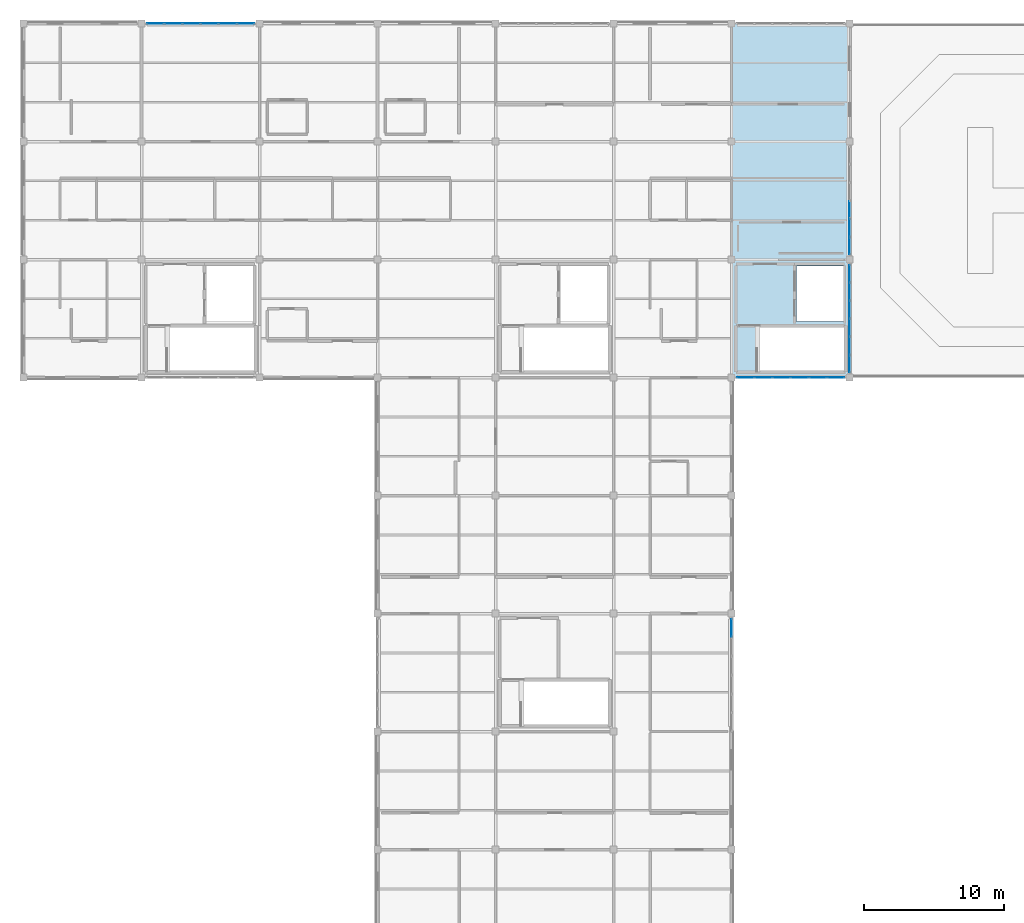
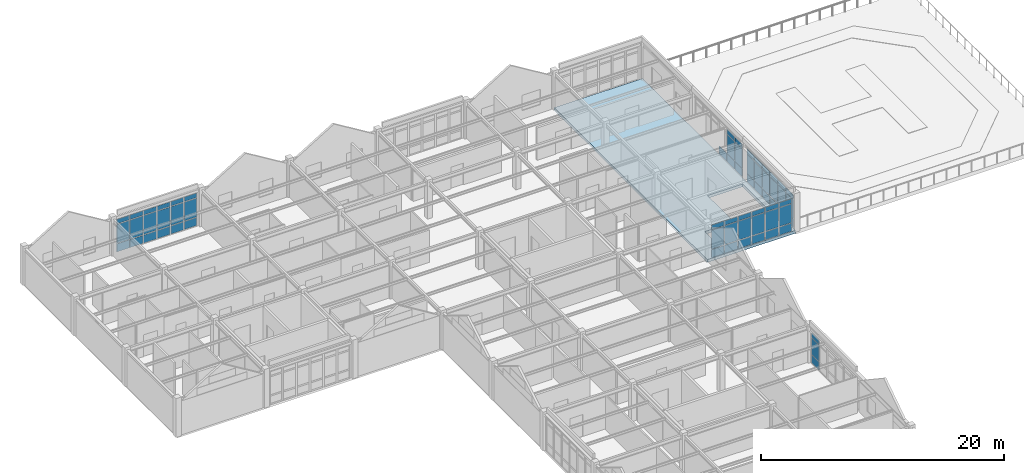
# One storey, part 30 of 45: 64 plates, 1 slab, 5 elements without a shape of their own.
"""IFC4 building model written with IfcOpenShell, lengths in metres."""

from ifc_helpers import new_model, si_unit, direction, frame, origin, origin_2d, place, context, subcontext, project, spatial, polyline, rectangle, outline, extrude, material, layer, layer_set, type_object, element, aggregate, save


model = new_model("IFC4")

# Units and contexts
model_context = context("Model", 3, precision=1e-05, world=origin(), true_north=direction((0.0, 1.0)))
body_context = subcontext(model_context, "Body", "Model", "MODEL_VIEW")
ifc_project = project(units=[si_unit("LENGTHUNIT", "METRE"), si_unit("AREAUNIT", "SQUARE_METRE"), si_unit("VOLUMEUNIT", "CUBIC_METRE"), si_unit("PLANEANGLEUNIT", "RADIAN"), si_unit("MASSUNIT", "GRAM", prefix="KILO")], contexts=[model_context])

# Site, building, storey
site_placement = place(None, origin())
site = spatial("IfcSite", under=ifc_project, at=site_placement, CompositionType="ELEMENT")
building_placement = place(site_placement, origin())
building = spatial("IfcBuilding", under=site, at=building_placement, Name="Bramfleet General Hospital", CompositionType="ELEMENT")
storey_placement = place(building_placement, frame((0.0, 0.0, 30.300048828125)))
storey = spatial("IfcBuildingStorey", under=building, at=storey_placement, Name="L07", CompositionType="ELEMENT", Elevation=30.300048828125)

# Curtain wall, plates
ifc_material_1 = material(Name="Anodised aluminium and low-E triple glazing", Category="aluminium")
ifc_layer_1 = layer(ifc_material_1, 0.179931640625, Name="CWT-CW-13")
ifc_layer_set_1 = layer_set([ifc_layer_1], Name="Anodised aluminium and low-E triple glazing")
curtain_wall_type_1 = type_object("IfcCurtainWallType", Name="CWT-CW-13", PredefinedType="USERDEFINED", material=ifc_layer_set_1)
curtain_wall_1_placement = place(storey_placement, origin())
curtain_wall_1 = element("IfcCurtainWall", 1, at=curtain_wall_1_placement, inside=storey, type_object=curtain_wall_type_1, Name="L07 Curtain Wall 229", ObjectType="Stick curtain wall", PredefinedType="USERDEFINED")
ifc_material_2 = material(Name="Low-E laminated safety glass", Category="glass")
ifc_layer_2 = layer(ifc_material_2, 0.028076171875, Name="CWP-GLZ-1")
ifc_layer_set_2 = layer_set([ifc_layer_2], Name="Low-E laminated safety glass")
plate_type_1 = type_object("IfcPlateType", Name="CWP-GLZ-1", PredefinedType="CURTAIN_PANEL", material=ifc_layer_set_2)
plate_1_placement = place(storey_placement, frame((125.01171875, 92.39990234375, 0.06494140625), z_axis=(0.0, 0.0, 1.0), x_axis=(-1.0, 0.0, 0.0)))
plate_1 = element("IfcPlate", 2, at=plate_1_placement, type_object=plate_type_1, Name="CW-13 panel 1.1", PredefinedType="CURTAIN_PANEL", context=body_context, shape_type="SweptSolid", body=[
    extrude(rectangle(XDim=1.186767578125, YDim=0.028076171875, at=origin_2d()), origin(), (0.0, 0.0, 1.0), 0.802490234375),
])
plate_2_placement = place(storey_placement, frame((125.01171875, 92.39990234375, 0.9326171875), z_axis=(0.0, 0.0, 1.0), x_axis=(-1.0, 0.0, 0.0)))
plate_2 = element("IfcPlate", 3, at=plate_2_placement, type_object=plate_type_1, Name="CW-13 panel 1.2", PredefinedType="CURTAIN_PANEL", context=body_context, shape_type="SweptSolid", body=[
    extrude(rectangle(XDim=1.186767578125, YDim=0.028076171875, at=origin_2d()), origin(), (0.0, 0.0, 1.0), 1.885009765625),
])
plate_3_placement = place(storey_placement, frame((125.01171875, 92.39990234375, 2.88232421875), z_axis=(0.0, 0.0, 1.0), x_axis=(-1.0, 0.0, 0.0)))
plate_3 = element("IfcPlate", 4, at=plate_3_placement, type_object=plate_type_1, Name="CW-13 panel 1.3", PredefinedType="CURTAIN_PANEL", context=body_context, shape_type="SweptSolid", body=[
    extrude(rectangle(XDim=1.186767578125, YDim=0.028076171875, at=origin_2d()), origin(), (0.0, 0.0, 1.0), 0.452392578125),
])
plate_4_placement = place(storey_placement, frame((123.737548828125, 92.39990234375, 0.06494140625), z_axis=(0.0, 0.0, 1.0), x_axis=(-1.0, 0.0, 0.0)))
plate_4 = element("IfcPlate", 5, at=plate_4_placement, type_object=plate_type_1, Name="CW-13 panel 2.1", PredefinedType="CURTAIN_PANEL", context=body_context, shape_type="SweptSolid", body=[
    extrude(rectangle(XDim=1.2216796875, YDim=0.028076171875, at=origin_2d()), origin(), (0.0, 0.0, 1.0), 0.802490234375),
])
plate_5_placement = place(storey_placement, frame((123.737548828125, 92.39990234375, 0.9326171875), z_axis=(0.0, 0.0, 1.0), x_axis=(-1.0, 0.0, 0.0)))
plate_5 = element("IfcPlate", 6, at=plate_5_placement, type_object=plate_type_1, Name="CW-13 panel 2.2", PredefinedType="CURTAIN_PANEL", context=body_context, shape_type="SweptSolid", body=[
    extrude(rectangle(XDim=1.2216796875, YDim=0.028076171875, at=origin_2d()), origin(), (0.0, 0.0, 1.0), 1.885009765625),
])
plate_6_placement = place(storey_placement, frame((123.737548828125, 92.39990234375, 2.88232421875), z_axis=(0.0, 0.0, 1.0), x_axis=(-1.0, 0.0, 0.0)))
plate_6 = element("IfcPlate", 7, at=plate_6_placement, type_object=plate_type_1, Name="CW-13 panel 2.3", PredefinedType="CURTAIN_PANEL", context=body_context, shape_type="SweptSolid", body=[
    extrude(rectangle(XDim=1.2216796875, YDim=0.028076171875, at=origin_2d()), origin(), (0.0, 0.0, 1.0), 0.452392578125),
])
plate_7_placement = place(storey_placement, frame((122.44580078125, 92.39990234375, 0.06494140625), z_axis=(0.0, 0.0, 1.0), x_axis=(-1.0, 0.0, 0.0)))
plate_7 = element("IfcPlate", 8, at=plate_7_placement, type_object=plate_type_1, Name="CW-13 panel 3.1", PredefinedType="CURTAIN_PANEL", context=body_context, shape_type="SweptSolid", body=[
    extrude(rectangle(XDim=1.2216796875, YDim=0.028076171875, at=origin_2d()), origin(), (0.0, 0.0, 1.0), 0.802490234375),
])
plate_8_placement = place(storey_placement, frame((122.44580078125, 92.39990234375, 0.9326171875), z_axis=(0.0, 0.0, 1.0), x_axis=(-1.0, 0.0, 0.0)))
plate_8 = element("IfcPlate", 9, at=plate_8_placement, type_object=plate_type_1, Name="CW-13 panel 3.2", PredefinedType="CURTAIN_PANEL", context=body_context, shape_type="SweptSolid", body=[
    extrude(rectangle(XDim=1.2216796875, YDim=0.028076171875, at=origin_2d()), origin(), (0.0, 0.0, 1.0), 1.885009765625),
])
plate_9_placement = place(storey_placement, frame((122.44580078125, 92.39990234375, 2.88232421875), z_axis=(0.0, 0.0, 1.0), x_axis=(-1.0, 0.0, 0.0)))
plate_9 = element("IfcPlate", 10, at=plate_9_placement, type_object=plate_type_1, Name="CW-13 panel 3.3", PredefinedType="CURTAIN_PANEL", context=body_context, shape_type="SweptSolid", body=[
    extrude(rectangle(XDim=1.2216796875, YDim=0.028076171875, at=origin_2d()), origin(), (0.0, 0.0, 1.0), 0.452392578125),
])
plate_10_placement = place(storey_placement, frame((121.154052734375, 92.39990234375, 0.06494140625), z_axis=(0.0, 0.0, 1.0), x_axis=(-1.0, 0.0, 0.0)))
plate_10 = element("IfcPlate", 11, at=plate_10_placement, type_object=plate_type_1, Name="CW-13 panel 4.1", PredefinedType="CURTAIN_PANEL", context=body_context, shape_type="SweptSolid", body=[
    extrude(rectangle(XDim=1.2216796875, YDim=0.028076171875, at=origin_2d()), origin(), (0.0, 0.0, 1.0), 0.802490234375),
])
plate_11_placement = place(storey_placement, frame((121.154052734375, 92.39990234375, 0.9326171875), z_axis=(0.0, 0.0, 1.0), x_axis=(-1.0, 0.0, 0.0)))
plate_11 = element("IfcPlate", 12, at=plate_11_placement, type_object=plate_type_1, Name="CW-13 panel 4.2", PredefinedType="CURTAIN_PANEL", context=body_context, shape_type="SweptSolid", body=[
    extrude(rectangle(XDim=1.2216796875, YDim=0.028076171875, at=origin_2d()), origin(), (0.0, 0.0, 1.0), 1.885009765625),
])
plate_12_placement = place(storey_placement, frame((121.154052734375, 92.39990234375, 2.88232421875), z_axis=(0.0, 0.0, 1.0), x_axis=(-1.0, 0.0, 0.0)))
plate_12 = element("IfcPlate", 13, at=plate_12_placement, type_object=plate_type_1, Name="CW-13 panel 4.3", PredefinedType="CURTAIN_PANEL", context=body_context, shape_type="SweptSolid", body=[
    extrude(rectangle(XDim=1.2216796875, YDim=0.028076171875, at=origin_2d()), origin(), (0.0, 0.0, 1.0), 0.452392578125),
])
plate_13_placement = place(storey_placement, frame((119.862548828125, 92.39990234375, 0.06494140625), z_axis=(0.0, 0.0, 1.0), x_axis=(-1.0, 0.0, 0.0)))
plate_13 = element("IfcPlate", 14, at=plate_13_placement, type_object=plate_type_1, Name="CW-13 panel 5.1", PredefinedType="CURTAIN_PANEL", context=body_context, shape_type="SweptSolid", body=[
    extrude(rectangle(XDim=1.2216796875, YDim=0.028076171875, at=origin_2d()), origin(), (0.0, 0.0, 1.0), 0.802490234375),
])
plate_14_placement = place(storey_placement, frame((119.862548828125, 92.39990234375, 0.9326171875), z_axis=(0.0, 0.0, 1.0), x_axis=(-1.0, 0.0, 0.0)))
plate_14 = element("IfcPlate", 15, at=plate_14_placement, type_object=plate_type_1, Name="CW-13 panel 5.2", PredefinedType="CURTAIN_PANEL", context=body_context, shape_type="SweptSolid", body=[
    extrude(rectangle(XDim=1.2216796875, YDim=0.028076171875, at=origin_2d()), origin(), (0.0, 0.0, 1.0), 1.885009765625),
])
plate_15_placement = place(storey_placement, frame((119.862548828125, 92.39990234375, 2.88232421875), z_axis=(0.0, 0.0, 1.0), x_axis=(-1.0, 0.0, 0.0)))
plate_15 = element("IfcPlate", 16, at=plate_15_placement, type_object=plate_type_1, Name="CW-13 panel 5.3", PredefinedType="CURTAIN_PANEL", context=body_context, shape_type="SweptSolid", body=[
    extrude(rectangle(XDim=1.2216796875, YDim=0.028076171875, at=origin_2d()), origin(), (0.0, 0.0, 1.0), 0.452392578125),
])
plate_16_placement = place(storey_placement, frame((118.58837890625, 92.39990234375, 0.06494140625), z_axis=(0.0, 0.0, 1.0), x_axis=(-1.0, 0.0, 0.0)))
plate_16 = element("IfcPlate", 17, at=plate_16_placement, type_object=plate_type_1, Name="CW-13 panel 6.1", PredefinedType="CURTAIN_PANEL", context=body_context, shape_type="SweptSolid", body=[
    extrude(rectangle(XDim=1.186767578125, YDim=0.028076171875, at=origin_2d()), origin(), (0.0, 0.0, 1.0), 0.802490234375),
])
plate_17_placement = place(storey_placement, frame((118.58837890625, 92.39990234375, 0.9326171875), z_axis=(0.0, 0.0, 1.0), x_axis=(-1.0, 0.0, 0.0)))
plate_17 = element("IfcPlate", 18, at=plate_17_placement, type_object=plate_type_1, Name="CW-13 panel 6.2", PredefinedType="CURTAIN_PANEL", context=body_context, shape_type="SweptSolid", body=[
    extrude(rectangle(XDim=1.186767578125, YDim=0.028076171875, at=origin_2d()), origin(), (0.0, 0.0, 1.0), 1.885009765625),
])
plate_18_placement = place(storey_placement, frame((118.58837890625, 92.39990234375, 2.88232421875), z_axis=(0.0, 0.0, 1.0), x_axis=(-1.0, 0.0, 0.0)))
plate_18 = element("IfcPlate", 19, at=plate_18_placement, type_object=plate_type_1, Name="CW-13 panel 6.3", PredefinedType="CURTAIN_PANEL", context=body_context, shape_type="SweptSolid", body=[
    extrude(rectangle(XDim=1.186767578125, YDim=0.028076171875, at=origin_2d()), origin(), (0.0, 0.0, 1.0), 0.452392578125),
])
aggregate(curtain_wall_1, [plate_1, plate_2, plate_3, plate_4, plate_5, plate_6, plate_7, plate_8, plate_9, plate_10, plate_11, plate_12, plate_13, plate_14, plate_15, plate_16, plate_17, plate_18])

ifc_layer_3 = layer(ifc_material_1, 0.179931640625, Name="CWT-CW-14")
ifc_layer_set_3 = layer_set([ifc_layer_3], Name="Anodised aluminium and low-E triple glazing")
curtain_wall_type_2 = type_object("IfcCurtainWallType", Name="CWT-CW-14", PredefinedType="USERDEFINED", material=ifc_layer_set_3)
curtain_wall_2_placement = place(storey_placement, origin())
curtain_wall_2 = element("IfcCurtainWall", 20, at=curtain_wall_2_placement, inside=storey, type_object=curtain_wall_type_2, Name="L07 Curtain Wall 230", ObjectType="Stick curtain wall", PredefinedType="USERDEFINED")
ifc_layer_4 = layer(ifc_material_2, 0.031982421875, Name="CWP-GLZ-2")
ifc_layer_set_4 = layer_set([ifc_layer_4], Name="Low-E laminated safety glass")
plate_type_2 = type_object("IfcPlateType", Name="CWP-GLZ-2", PredefinedType="CURTAIN_PANEL", material=ifc_layer_set_4)
plate_19_placement = place(storey_placement, frame((117.60009765625, 74.58447265625, 0.06494140625), z_axis=(0.0, 0.0, 1.0), x_axis=(0.0, -1.0, 0.0)))
plate_19 = element("IfcPlate", 21, at=plate_19_placement, type_object=plate_type_2, Name="CW-14 panel 1.1", PredefinedType="CURTAIN_PANEL", context=body_context, shape_type="SweptSolid", body=[
    extrude(rectangle(XDim=1.24072265625, YDim=0.031982421875, at=origin_2d()), origin(), (0.0, 0.0, 1.0), 0.802490234375),
])
plate_20_placement = place(storey_placement, frame((117.60009765625, 74.58447265625, 0.9326171875), z_axis=(0.0, 0.0, 1.0), x_axis=(0.0, -1.0, 0.0)))
plate_20 = element("IfcPlate", 22, at=plate_20_placement, type_object=plate_type_2, Name="CW-14 panel 1.2", PredefinedType="CURTAIN_PANEL", context=body_context, shape_type="SweptSolid", body=[
    extrude(rectangle(XDim=1.24072265625, YDim=0.031982421875, at=origin_2d()), origin(), (0.0, 0.0, 1.0), 1.635009765625),
])
plate_21_placement = place(storey_placement, frame((117.60009765625, 74.58447265625, 2.63232421875), z_axis=(0.0, 0.0, 1.0), x_axis=(0.0, -1.0, 0.0)))
plate_21 = element("IfcPlate", 23, at=plate_21_placement, type_object=plate_type_2, Name="CW-14 panel 1.3", PredefinedType="CURTAIN_PANEL", context=body_context, shape_type="SweptSolid", body=[
    extrude(rectangle(XDim=1.24072265625, YDim=0.031982421875, at=origin_2d()), origin(), (0.0, 0.0, 1.0), 0.452392578125),
])
aggregate(curtain_wall_2, [plate_19, plate_20, plate_21])

ifc_layer_5 = layer(ifc_material_1, 0.179931640625, Name="CWT-CW-11")
ifc_layer_set_5 = layer_set([ifc_layer_5], Name="Anodised aluminium and low-E triple glazing")
curtain_wall_type_3 = type_object("IfcCurtainWallType", Name="CWT-CW-11", PredefinedType="USERDEFINED", material=ifc_layer_set_5)
curtain_wall_3_placement = place(storey_placement, origin())
curtain_wall_3 = element("IfcCurtainWall", 24, at=curtain_wall_3_placement, inside=storey, type_object=curtain_wall_type_3, Name="L07 Curtain Wall 227", ObjectType="Stick curtain wall", PredefinedType="USERDEFINED")
ifc_layer_6 = layer(ifc_material_2, 0.035888671875, Name="CWP-GLZ-3")
ifc_layer_set_6 = layer_set([ifc_layer_6], Name="Low-E laminated safety glass")
plate_type_3 = type_object("IfcPlateType", Name="CWP-GLZ-3", PredefinedType="CURTAIN_PANEL", material=ifc_layer_set_6)
plate_22_placement = place(storey_placement, frame((126.0, 104.354248046875, 0.06494140625), z_axis=(0.0, 0.0, 1.0), x_axis=(0.0, -1.0, 0.0)))
plate_22 = element("IfcPlate", 25, at=plate_22_placement, type_object=plate_type_3, Name="CW-11 panel 4.1", PredefinedType="CURTAIN_PANEL", context=body_context, shape_type="SweptSolid", body=[
    extrude(rectangle(XDim=1.2216796875, YDim=0.035888671875, at=origin_2d()), origin(), (0.0, 0.0, 1.0), 0.802490234375),
])
plate_23_placement = place(storey_placement, frame((126.0, 103.0625, 0.06494140625), z_axis=(0.0, 0.0, 1.0), x_axis=(0.0, -1.0, 0.0)))
plate_23 = element("IfcPlate", 26, at=plate_23_placement, type_object=plate_type_3, Name="CW-11 panel 5.1", PredefinedType="CURTAIN_PANEL", context=body_context, shape_type="SweptSolid", body=[
    extrude(rectangle(XDim=1.2216796875, YDim=0.035888671875, at=origin_2d()), origin(), (0.0, 0.0, 1.0), 0.802490234375),
])
plate_24_placement = place(storey_placement, frame((126.0, 103.0625, 0.9326171875), z_axis=(0.0, 0.0, 1.0), x_axis=(0.0, -1.0, 0.0)))
plate_24 = element("IfcPlate", 27, at=plate_24_placement, type_object=plate_type_3, Name="CW-11 panel 5.2", PredefinedType="CURTAIN_PANEL", context=body_context, shape_type="SweptSolid", body=[
    extrude(rectangle(XDim=1.2216796875, YDim=0.035888671875, at=origin_2d()), origin(), (0.0, 0.0, 1.0), 1.905029296875),
])
plate_25_placement = place(storey_placement, frame((126.0, 103.0625, 2.90234375), z_axis=(0.0, 0.0, 1.0), x_axis=(0.0, -1.0, 0.0)))
plate_25 = element("IfcPlate", 28, at=plate_25_placement, type_object=plate_type_3, Name="CW-11 panel 5.3", PredefinedType="CURTAIN_PANEL", context=body_context, shape_type="SweptSolid", body=[
    extrude(rectangle(XDim=1.2216796875, YDim=0.035888671875, at=origin_2d()), origin(), (0.0, 0.0, 1.0), 0.452392578125),
])
plate_26_placement = place(storey_placement, frame((126.0, 101.788330078125, 0.06494140625), z_axis=(0.0, 0.0, 1.0), x_axis=(0.0, -1.0, 0.0)))
plate_26 = element("IfcPlate", 29, at=plate_26_placement, type_object=plate_type_3, Name="CW-11 panel 6.1", PredefinedType="CURTAIN_PANEL", context=body_context, shape_type="SweptSolid", body=[
    extrude(rectangle(XDim=1.186767578125, YDim=0.035888671875, at=origin_2d()), origin(), (0.0, 0.0, 1.0), 0.802490234375),
])
plate_27_placement = place(storey_placement, frame((126.0, 101.788330078125, 0.9326171875), z_axis=(0.0, 0.0, 1.0), x_axis=(0.0, -1.0, 0.0)))
plate_27 = element("IfcPlate", 30, at=plate_27_placement, type_object=plate_type_3, Name="CW-11 panel 6.2", PredefinedType="CURTAIN_PANEL", context=body_context, shape_type="SweptSolid", body=[
    extrude(rectangle(XDim=1.186767578125, YDim=0.035888671875, at=origin_2d()), origin(), (0.0, 0.0, 1.0), 1.905029296875),
])
plate_28_placement = place(storey_placement, frame((126.0, 101.788330078125, 2.90234375), z_axis=(0.0, 0.0, 1.0), x_axis=(0.0, -1.0, 0.0)))
plate_28 = element("IfcPlate", 31, at=plate_28_placement, type_object=plate_type_3, Name="CW-11 panel 6.3", PredefinedType="CURTAIN_PANEL", context=body_context, shape_type="SweptSolid", body=[
    extrude(rectangle(XDim=1.186767578125, YDim=0.035888671875, at=origin_2d()), origin(), (0.0, 0.0, 1.0), 0.452392578125),
])
aggregate(curtain_wall_3, [plate_22, plate_23, plate_24, plate_25, plate_26, plate_27, plate_28])

ifc_layer_7 = layer(ifc_material_1, 0.179931640625, Name="CWT-CW-08")
ifc_layer_set_7 = layer_set([ifc_layer_7], Name="Anodised aluminium and low-E triple glazing")
curtain_wall_type_4 = type_object("IfcCurtainWallType", Name="CWT-CW-08", PredefinedType="USERDEFINED", material=ifc_layer_set_7)
curtain_wall_4_placement = place(storey_placement, origin())
curtain_wall_4 = element("IfcCurtainWall", 32, at=curtain_wall_4_placement, inside=storey, type_object=curtain_wall_type_4, Name="L07 Curtain Wall 224", ObjectType="Unitised curtain wall", PredefinedType="USERDEFINED")
ifc_layer_8 = layer(ifc_material_2, 0.0419921875, Name="CWP-GLZ-4")
ifc_layer_set_8 = layer_set([ifc_layer_8], Name="Low-E laminated safety glass")
plate_type_4 = type_object("IfcPlateType", Name="CWP-GLZ-4", PredefinedType="CURTAIN_PANEL", material=ifc_layer_set_8)
plate_29_placement = place(storey_placement, frame((76.58837890625, 117.60009765625, 0.06494140625), z_axis=(0.0, 0.0, 1.0), x_axis=(1.0, 0.0, 0.0)))
plate_29 = element("IfcPlate", 33, at=plate_29_placement, type_object=plate_type_4, Name="CW-08 panel 1.1", PredefinedType="CURTAIN_PANEL", context=body_context, shape_type="SweptSolid", body=[
    extrude(rectangle(XDim=1.186767578125, YDim=0.0419921875, at=origin_2d()), origin(), (0.0, 0.0, 1.0), 0.802490234375),
])
plate_30_placement = place(storey_placement, frame((76.58837890625, 117.60009765625, 0.9326171875), z_axis=(0.0, 0.0, 1.0), x_axis=(1.0, 0.0, 0.0)))
plate_30 = element("IfcPlate", 34, at=plate_30_placement, type_object=plate_type_4, Name="CW-08 panel 1.2", PredefinedType="CURTAIN_PANEL", context=body_context, shape_type="SweptSolid", body=[
    extrude(rectangle(XDim=1.186767578125, YDim=0.0419921875, at=origin_2d()), origin(), (0.0, 0.0, 1.0), 1.885009765625),
])
plate_31_placement = place(storey_placement, frame((76.58837890625, 117.60009765625, 2.88232421875), z_axis=(0.0, 0.0, 1.0), x_axis=(1.0, 0.0, 0.0)))
plate_31 = element("IfcPlate", 35, at=plate_31_placement, type_object=plate_type_4, Name="CW-08 panel 1.3", PredefinedType="CURTAIN_PANEL", context=body_context, shape_type="SweptSolid", body=[
    extrude(rectangle(XDim=1.186767578125, YDim=0.0419921875, at=origin_2d()), origin(), (0.0, 0.0, 1.0), 0.452392578125),
])
plate_32_placement = place(storey_placement, frame((77.862548828125, 117.60009765625, 0.06494140625), z_axis=(0.0, 0.0, 1.0), x_axis=(1.0, 0.0, 0.0)))
plate_32 = element("IfcPlate", 36, at=plate_32_placement, type_object=plate_type_4, Name="CW-08 panel 2.1", PredefinedType="CURTAIN_PANEL", context=body_context, shape_type="SweptSolid", body=[
    extrude(rectangle(XDim=1.2216796875, YDim=0.0419921875, at=origin_2d()), origin(), (0.0, 0.0, 1.0), 0.802490234375),
])
plate_33_placement = place(storey_placement, frame((77.862548828125, 117.60009765625, 0.9326171875), z_axis=(0.0, 0.0, 1.0), x_axis=(1.0, 0.0, 0.0)))
plate_33 = element("IfcPlate", 37, at=plate_33_placement, type_object=plate_type_4, Name="CW-08 panel 2.2", PredefinedType="CURTAIN_PANEL", context=body_context, shape_type="SweptSolid", body=[
    extrude(rectangle(XDim=1.2216796875, YDim=0.0419921875, at=origin_2d()), origin(), (0.0, 0.0, 1.0), 1.885009765625),
])
plate_34_placement = place(storey_placement, frame((77.862548828125, 117.60009765625, 2.88232421875), z_axis=(0.0, 0.0, 1.0), x_axis=(1.0, 0.0, 0.0)))
plate_34 = element("IfcPlate", 38, at=plate_34_placement, type_object=plate_type_4, Name="CW-08 panel 2.3", PredefinedType="CURTAIN_PANEL", context=body_context, shape_type="SweptSolid", body=[
    extrude(rectangle(XDim=1.2216796875, YDim=0.0419921875, at=origin_2d()), origin(), (0.0, 0.0, 1.0), 0.452392578125),
])
plate_35_placement = place(storey_placement, frame((79.154052734375, 117.60009765625, 0.06494140625), z_axis=(0.0, 0.0, 1.0), x_axis=(1.0, 0.0, 0.0)))
plate_35 = element("IfcPlate", 39, at=plate_35_placement, type_object=plate_type_4, Name="CW-08 panel 3.1", PredefinedType="CURTAIN_PANEL", context=body_context, shape_type="SweptSolid", body=[
    extrude(rectangle(XDim=1.2216796875, YDim=0.0419921875, at=origin_2d()), origin(), (0.0, 0.0, 1.0), 0.802490234375),
])
plate_36_placement = place(storey_placement, frame((79.154052734375, 117.60009765625, 0.9326171875), z_axis=(0.0, 0.0, 1.0), x_axis=(1.0, 0.0, 0.0)))
plate_36 = element("IfcPlate", 40, at=plate_36_placement, type_object=plate_type_4, Name="CW-08 panel 3.2", PredefinedType="CURTAIN_PANEL", context=body_context, shape_type="SweptSolid", body=[
    extrude(rectangle(XDim=1.2216796875, YDim=0.0419921875, at=origin_2d()), origin(), (0.0, 0.0, 1.0), 1.885009765625),
])
plate_37_placement = place(storey_placement, frame((79.154052734375, 117.60009765625, 2.88232421875), z_axis=(0.0, 0.0, 1.0), x_axis=(1.0, 0.0, 0.0)))
plate_37 = element("IfcPlate", 41, at=plate_37_placement, type_object=plate_type_4, Name="CW-08 panel 3.3", PredefinedType="CURTAIN_PANEL", context=body_context, shape_type="SweptSolid", body=[
    extrude(rectangle(XDim=1.2216796875, YDim=0.0419921875, at=origin_2d()), origin(), (0.0, 0.0, 1.0), 0.452392578125),
])
plate_38_placement = place(storey_placement, frame((80.44580078125, 117.60009765625, 0.06494140625), z_axis=(0.0, 0.0, 1.0), x_axis=(1.0, 0.0, 0.0)))
plate_38 = element("IfcPlate", 42, at=plate_38_placement, type_object=plate_type_4, Name="CW-08 panel 4.1", PredefinedType="CURTAIN_PANEL", context=body_context, shape_type="SweptSolid", body=[
    extrude(rectangle(XDim=1.2216796875, YDim=0.0419921875, at=origin_2d()), origin(), (0.0, 0.0, 1.0), 0.802490234375),
])
plate_39_placement = place(storey_placement, frame((80.44580078125, 117.60009765625, 0.9326171875), z_axis=(0.0, 0.0, 1.0), x_axis=(1.0, 0.0, 0.0)))
plate_39 = element("IfcPlate", 43, at=plate_39_placement, type_object=plate_type_4, Name="CW-08 panel 4.2", PredefinedType="CURTAIN_PANEL", context=body_context, shape_type="SweptSolid", body=[
    extrude(rectangle(XDim=1.2216796875, YDim=0.0419921875, at=origin_2d()), origin(), (0.0, 0.0, 1.0), 1.885009765625),
])
plate_40_placement = place(storey_placement, frame((80.44580078125, 117.60009765625, 2.88232421875), z_axis=(0.0, 0.0, 1.0), x_axis=(1.0, 0.0, 0.0)))
plate_40 = element("IfcPlate", 44, at=plate_40_placement, type_object=plate_type_4, Name="CW-08 panel 4.3", PredefinedType="CURTAIN_PANEL", context=body_context, shape_type="SweptSolid", body=[
    extrude(rectangle(XDim=1.2216796875, YDim=0.0419921875, at=origin_2d()), origin(), (0.0, 0.0, 1.0), 0.452392578125),
])
plate_41_placement = place(storey_placement, frame((81.737548828125, 117.60009765625, 0.06494140625), z_axis=(0.0, 0.0, 1.0), x_axis=(1.0, 0.0, 0.0)))
plate_41 = element("IfcPlate", 45, at=plate_41_placement, type_object=plate_type_4, Name="CW-08 panel 5.1", PredefinedType="CURTAIN_PANEL", context=body_context, shape_type="SweptSolid", body=[
    extrude(rectangle(XDim=1.2216796875, YDim=0.0419921875, at=origin_2d()), origin(), (0.0, 0.0, 1.0), 0.802490234375),
])
plate_42_placement = place(storey_placement, frame((81.737548828125, 117.60009765625, 0.9326171875), z_axis=(0.0, 0.0, 1.0), x_axis=(1.0, 0.0, 0.0)))
plate_42 = element("IfcPlate", 46, at=plate_42_placement, type_object=plate_type_4, Name="CW-08 panel 5.2", PredefinedType="CURTAIN_PANEL", context=body_context, shape_type="SweptSolid", body=[
    extrude(rectangle(XDim=1.2216796875, YDim=0.0419921875, at=origin_2d()), origin(), (0.0, 0.0, 1.0), 1.885009765625),
])
plate_43_placement = place(storey_placement, frame((81.737548828125, 117.60009765625, 2.88232421875), z_axis=(0.0, 0.0, 1.0), x_axis=(1.0, 0.0, 0.0)))
plate_43 = element("IfcPlate", 47, at=plate_43_placement, type_object=plate_type_4, Name="CW-08 panel 5.3", PredefinedType="CURTAIN_PANEL", context=body_context, shape_type="SweptSolid", body=[
    extrude(rectangle(XDim=1.2216796875, YDim=0.0419921875, at=origin_2d()), origin(), (0.0, 0.0, 1.0), 0.452392578125),
])
plate_44_placement = place(storey_placement, frame((83.01171875, 117.60009765625, 0.06494140625), z_axis=(0.0, 0.0, 1.0), x_axis=(1.0, 0.0, 0.0)))
plate_44 = element("IfcPlate", 48, at=plate_44_placement, type_object=plate_type_4, Name="CW-08 panel 6.1", PredefinedType="CURTAIN_PANEL", context=body_context, shape_type="SweptSolid", body=[
    extrude(rectangle(XDim=1.186767578125, YDim=0.0419921875, at=origin_2d()), origin(), (0.0, 0.0, 1.0), 0.802490234375),
])
plate_45_placement = place(storey_placement, frame((83.01171875, 117.60009765625, 0.9326171875), z_axis=(0.0, 0.0, 1.0), x_axis=(1.0, 0.0, 0.0)))
plate_45 = element("IfcPlate", 49, at=plate_45_placement, type_object=plate_type_4, Name="CW-08 panel 6.2", PredefinedType="CURTAIN_PANEL", context=body_context, shape_type="SweptSolid", body=[
    extrude(rectangle(XDim=1.186767578125, YDim=0.0419921875, at=origin_2d()), origin(), (0.0, 0.0, 1.0), 1.885009765625),
])
plate_46_placement = place(storey_placement, frame((83.01171875, 117.60009765625, 2.88232421875), z_axis=(0.0, 0.0, 1.0), x_axis=(1.0, 0.0, 0.0)))
plate_46 = element("IfcPlate", 50, at=plate_46_placement, type_object=plate_type_4, Name="CW-08 panel 6.3", PredefinedType="CURTAIN_PANEL", context=body_context, shape_type="SweptSolid", body=[
    extrude(rectangle(XDim=1.186767578125, YDim=0.0419921875, at=origin_2d()), origin(), (0.0, 0.0, 1.0), 0.452392578125),
])
aggregate(curtain_wall_4, [plate_29, plate_30, plate_31, plate_32, plate_33, plate_34, plate_35, plate_36, plate_37, plate_38, plate_39, plate_40, plate_41, plate_42, plate_43, plate_44, plate_45, plate_46])

ifc_layer_9 = layer(ifc_material_1, 0.179931640625, Name="CWT-CW-12")
ifc_layer_set_9 = layer_set([ifc_layer_9], Name="Anodised aluminium and low-E triple glazing")
curtain_wall_type_5 = type_object("IfcCurtainWallType", Name="CWT-CW-12", PredefinedType="USERDEFINED", material=ifc_layer_set_9)
curtain_wall_5_placement = place(storey_placement, origin())
curtain_wall_5 = element("IfcCurtainWall", 51, at=curtain_wall_5_placement, inside=storey, type_object=curtain_wall_type_5, Name="L07 Curtain Wall 228", ObjectType="Stick curtain wall", PredefinedType="USERDEFINED")
plate_47_placement = place(storey_placement, frame((126.0, 99.811767578125, 0.06494140625), z_axis=(0.0, 0.0, 1.0), x_axis=(0.0, -1.0, 0.0)))
plate_47 = element("IfcPlate", 52, at=plate_47_placement, type_object=plate_type_4, Name="CW-12 panel 1.1", PredefinedType="CURTAIN_PANEL", context=body_context, shape_type="SweptSolid", body=[
    extrude(rectangle(XDim=1.186767578125, YDim=0.0419921875, at=origin_2d()), origin(), (0.0, 0.0, 1.0), 0.802490234375),
])
plate_48_placement = place(storey_placement, frame((126.0, 99.811767578125, 0.9326171875), z_axis=(0.0, 0.0, 1.0), x_axis=(0.0, -1.0, 0.0)))
plate_48 = element("IfcPlate", 53, at=plate_48_placement, type_object=plate_type_4, Name="CW-12 panel 1.2", PredefinedType="CURTAIN_PANEL", context=body_context, shape_type="SweptSolid", body=[
    extrude(rectangle(XDim=1.186767578125, YDim=0.0419921875, at=origin_2d()), origin(), (0.0, 0.0, 1.0), 1.905029296875),
])
plate_49_placement = place(storey_placement, frame((126.0, 99.811767578125, 2.90234375), z_axis=(0.0, 0.0, 1.0), x_axis=(0.0, -1.0, 0.0)))
plate_49 = element("IfcPlate", 54, at=plate_49_placement, type_object=plate_type_4, Name="CW-12 panel 1.3", PredefinedType="CURTAIN_PANEL", context=body_context, shape_type="SweptSolid", body=[
    extrude(rectangle(XDim=1.186767578125, YDim=0.0419921875, at=origin_2d()), origin(), (0.0, 0.0, 1.0), 0.452392578125),
])
plate_50_placement = place(storey_placement, frame((126.0, 98.53759765625, 0.06494140625), z_axis=(0.0, 0.0, 1.0), x_axis=(0.0, -1.0, 0.0)))
plate_50 = element("IfcPlate", 55, at=plate_50_placement, type_object=plate_type_4, Name="CW-12 panel 2.1", PredefinedType="CURTAIN_PANEL", context=body_context, shape_type="SweptSolid", body=[
    extrude(rectangle(XDim=1.2216796875, YDim=0.0419921875, at=origin_2d()), origin(), (0.0, 0.0, 1.0), 0.802490234375),
])
plate_51_placement = place(storey_placement, frame((126.0, 98.53759765625, 0.9326171875), z_axis=(0.0, 0.0, 1.0), x_axis=(0.0, -1.0, 0.0)))
plate_51 = element("IfcPlate", 56, at=plate_51_placement, type_object=plate_type_4, Name="CW-12 panel 2.2", PredefinedType="CURTAIN_PANEL", context=body_context, shape_type="SweptSolid", body=[
    extrude(rectangle(XDim=1.2216796875, YDim=0.0419921875, at=origin_2d()), origin(), (0.0, 0.0, 1.0), 1.905029296875),
])
plate_52_placement = place(storey_placement, frame((126.0, 98.53759765625, 2.90234375), z_axis=(0.0, 0.0, 1.0), x_axis=(0.0, -1.0, 0.0)))
plate_52 = element("IfcPlate", 57, at=plate_52_placement, type_object=plate_type_4, Name="CW-12 panel 2.3", PredefinedType="CURTAIN_PANEL", context=body_context, shape_type="SweptSolid", body=[
    extrude(rectangle(XDim=1.2216796875, YDim=0.0419921875, at=origin_2d()), origin(), (0.0, 0.0, 1.0), 0.452392578125),
])
plate_53_placement = place(storey_placement, frame((126.0, 97.245849609375, 0.06494140625), z_axis=(0.0, 0.0, 1.0), x_axis=(0.0, -1.0, 0.0)))
plate_53 = element("IfcPlate", 58, at=plate_53_placement, type_object=plate_type_4, Name="CW-12 panel 3.1", PredefinedType="CURTAIN_PANEL", context=body_context, shape_type="SweptSolid", body=[
    extrude(rectangle(XDim=1.2216796875, YDim=0.0419921875, at=origin_2d()), origin(), (0.0, 0.0, 1.0), 0.802490234375),
])
plate_54_placement = place(storey_placement, frame((126.0, 97.245849609375, 0.9326171875), z_axis=(0.0, 0.0, 1.0), x_axis=(0.0, -1.0, 0.0)))
plate_54 = element("IfcPlate", 59, at=plate_54_placement, type_object=plate_type_4, Name="CW-12 panel 3.2", PredefinedType="CURTAIN_PANEL", context=body_context, shape_type="SweptSolid", body=[
    extrude(rectangle(XDim=1.2216796875, YDim=0.0419921875, at=origin_2d()), origin(), (0.0, 0.0, 1.0), 1.905029296875),
])
plate_55_placement = place(storey_placement, frame((126.0, 97.245849609375, 2.90234375), z_axis=(0.0, 0.0, 1.0), x_axis=(0.0, -1.0, 0.0)))
plate_55 = element("IfcPlate", 60, at=plate_55_placement, type_object=plate_type_4, Name="CW-12 panel 3.3", PredefinedType="CURTAIN_PANEL", context=body_context, shape_type="SweptSolid", body=[
    extrude(rectangle(XDim=1.2216796875, YDim=0.0419921875, at=origin_2d()), origin(), (0.0, 0.0, 1.0), 0.452392578125),
])
plate_56_placement = place(storey_placement, frame((126.0, 95.9541015625, 0.06494140625), z_axis=(0.0, 0.0, 1.0), x_axis=(0.0, -1.0, 0.0)))
plate_56 = element("IfcPlate", 61, at=plate_56_placement, type_object=plate_type_4, Name="CW-12 panel 4.1", PredefinedType="CURTAIN_PANEL", context=body_context, shape_type="SweptSolid", body=[
    extrude(rectangle(XDim=1.2216796875, YDim=0.0419921875, at=origin_2d()), origin(), (0.0, 0.0, 1.0), 0.802490234375),
])
plate_57_placement = place(storey_placement, frame((126.0, 95.9541015625, 0.9326171875), z_axis=(0.0, 0.0, 1.0), x_axis=(0.0, -1.0, 0.0)))
plate_57 = element("IfcPlate", 62, at=plate_57_placement, type_object=plate_type_4, Name="CW-12 panel 4.2", PredefinedType="CURTAIN_PANEL", context=body_context, shape_type="SweptSolid", body=[
    extrude(rectangle(XDim=1.2216796875, YDim=0.0419921875, at=origin_2d()), origin(), (0.0, 0.0, 1.0), 1.905029296875),
])
plate_58_placement = place(storey_placement, frame((126.0, 95.9541015625, 2.90234375), z_axis=(0.0, 0.0, 1.0), x_axis=(0.0, -1.0, 0.0)))
plate_58 = element("IfcPlate", 63, at=plate_58_placement, type_object=plate_type_4, Name="CW-12 panel 4.3", PredefinedType="CURTAIN_PANEL", context=body_context, shape_type="SweptSolid", body=[
    extrude(rectangle(XDim=1.2216796875, YDim=0.0419921875, at=origin_2d()), origin(), (0.0, 0.0, 1.0), 0.452392578125),
])
plate_59_placement = place(storey_placement, frame((126.0, 94.66259765625, 0.06494140625), z_axis=(0.0, 0.0, 1.0), x_axis=(0.0, -1.0, 0.0)))
plate_59 = element("IfcPlate", 64, at=plate_59_placement, type_object=plate_type_4, Name="CW-12 panel 5.1", PredefinedType="CURTAIN_PANEL", context=body_context, shape_type="SweptSolid", body=[
    extrude(rectangle(XDim=1.2216796875, YDim=0.0419921875, at=origin_2d()), origin(), (0.0, 0.0, 1.0), 0.802490234375),
])
plate_60_placement = place(storey_placement, frame((126.0, 94.66259765625, 0.9326171875), z_axis=(0.0, 0.0, 1.0), x_axis=(0.0, -1.0, 0.0)))
plate_60 = element("IfcPlate", 65, at=plate_60_placement, type_object=plate_type_4, Name="CW-12 panel 5.2", PredefinedType="CURTAIN_PANEL", context=body_context, shape_type="SweptSolid", body=[
    extrude(rectangle(XDim=1.2216796875, YDim=0.0419921875, at=origin_2d()), origin(), (0.0, 0.0, 1.0), 1.905029296875),
])
plate_61_placement = place(storey_placement, frame((126.0, 94.66259765625, 2.90234375), z_axis=(0.0, 0.0, 1.0), x_axis=(0.0, -1.0, 0.0)))
plate_61 = element("IfcPlate", 66, at=plate_61_placement, type_object=plate_type_4, Name="CW-12 panel 5.3", PredefinedType="CURTAIN_PANEL", context=body_context, shape_type="SweptSolid", body=[
    extrude(rectangle(XDim=1.2216796875, YDim=0.0419921875, at=origin_2d()), origin(), (0.0, 0.0, 1.0), 0.452392578125),
])
plate_62_placement = place(storey_placement, frame((126.0, 93.388427734375, 0.06494140625), z_axis=(0.0, 0.0, 1.0), x_axis=(0.0, -1.0, 0.0)))
plate_62 = element("IfcPlate", 67, at=plate_62_placement, type_object=plate_type_4, Name="CW-12 panel 6.1", PredefinedType="CURTAIN_PANEL", context=body_context, shape_type="SweptSolid", body=[
    extrude(rectangle(XDim=1.186767578125, YDim=0.0419921875, at=origin_2d()), origin(), (0.0, 0.0, 1.0), 0.802490234375),
])
plate_63_placement = place(storey_placement, frame((126.0, 93.388427734375, 0.9326171875), z_axis=(0.0, 0.0, 1.0), x_axis=(0.0, -1.0, 0.0)))
plate_63 = element("IfcPlate", 68, at=plate_63_placement, type_object=plate_type_4, Name="CW-12 panel 6.2", PredefinedType="CURTAIN_PANEL", context=body_context, shape_type="SweptSolid", body=[
    extrude(rectangle(XDim=1.186767578125, YDim=0.0419921875, at=origin_2d()), origin(), (0.0, 0.0, 1.0), 1.905029296875),
])
plate_64_placement = place(storey_placement, frame((126.0, 93.388427734375, 2.90234375), z_axis=(0.0, 0.0, 1.0), x_axis=(0.0, -1.0, 0.0)))
plate_64 = element("IfcPlate", 69, at=plate_64_placement, type_object=plate_type_4, Name="CW-12 panel 6.3", PredefinedType="CURTAIN_PANEL", context=body_context, shape_type="SweptSolid", body=[
    extrude(rectangle(XDim=1.186767578125, YDim=0.0419921875, at=origin_2d()), origin(), (0.0, 0.0, 1.0), 0.452392578125),
])
aggregate(curtain_wall_5, [plate_47, plate_48, plate_49, plate_50, plate_51, plate_52, plate_53, plate_54, plate_55, plate_56, plate_57, plate_58, plate_59, plate_60, plate_61, plate_62, plate_63, plate_64])

# Slab
ifc_material_3 = material(Name="Concrete C35/45", Category="concrete")
ifc_layer_10 = layer(ifc_material_3, 0.280029296875, Name="SL-FLR-280")
ifc_layer_set_10 = layer_set([ifc_layer_10], Name="Concrete C35/45")
slab_type = type_object("IfcSlabType", Name="SL-FLR-280", PredefinedType="FLOOR", material=ifc_layer_set_10)
slab_placement = place(storey_placement, frame((0.0, 0.0, -0.280029296875)))
element("IfcSlab", 70, at=slab_placement, inside=storey, type_object=slab_type, Name="L07 Structural Floor Slab (EAST)", PredefinedType="FLOOR", context=body_context, shape_type="SweptSolid", body=[
    extrude(outline(polyline([(126.0, 117.60009765625), (126.0, 109.199951171875), (126.0, 100.800048828125), (126.0, 92.39990234375), (117.60009765625, 92.39990234375), (117.60009765625, 117.60009765625), (126.0, 117.60009765625)]), holes=[polyline([(119.43994140625, 92.820068359375), (125.659912109375, 92.820068359375), (125.659912109375, 95.97998046875), (119.43994140625, 95.97998046875), (119.43994140625, 92.820068359375)]), polyline([(122.219970703125, 96.39990234375), (125.550048828125, 96.39990234375), (125.550048828125, 100.35009765625), (122.219970703125, 100.35009765625), (122.219970703125, 96.39990234375)])]), origin(), (0.0, 0.0, 1.0), 0.280029296875),
])

save(model, "model.ifc")
